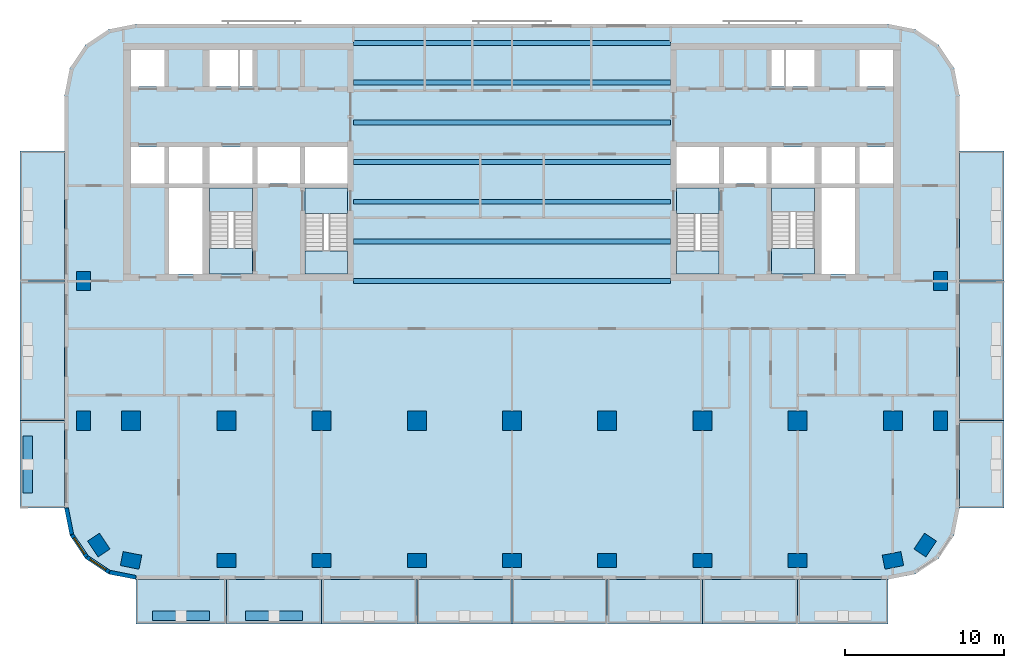
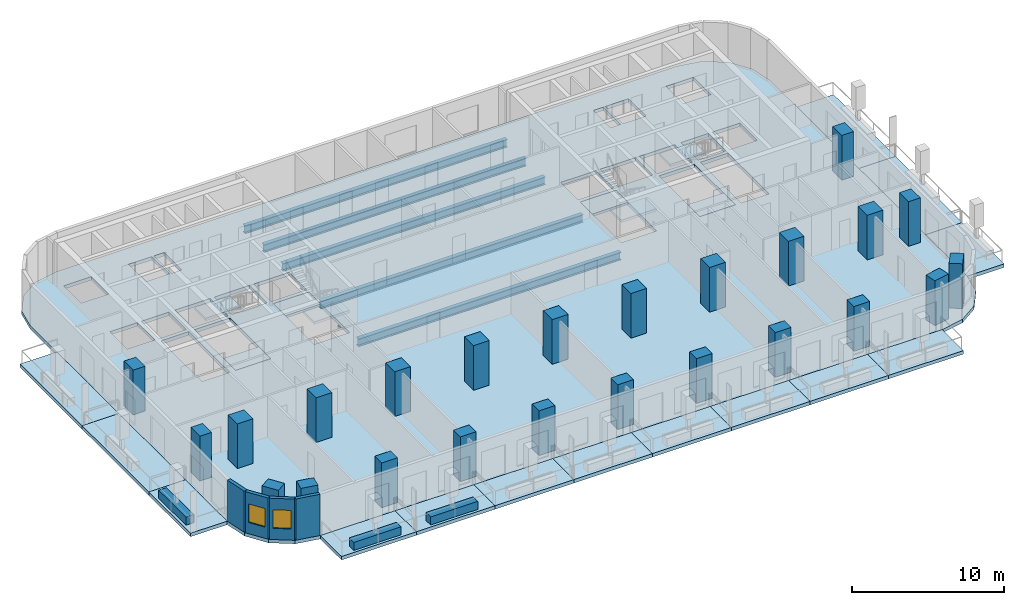
# One storey, part 1 of 11: 24 columns, 23 slabs, 7 beams, 7 walls, 2 windows, 2 openings, 4 elements without a shape of their own.
"""IFC4 building model written with IfcOpenShell, lengths in metres."""

from ifc_helpers import new_model, si_unit, direction, frame, frame_2d, origin, origin_2d, place, context, subcontext, project, spatial, polyline, rectangle, i_section, outline, extrude, material, layer, layer_set, material_profile, profile_set, type_object, element, fill, aggregate, save


model = new_model("IFC4")

# Units and contexts
model_context = context("Model", 3, precision=1e-05, world=origin(), true_north=direction((0.0, 1.0)))
body_context = subcontext(model_context, "Body", "Model", "MODEL_VIEW")
ifc_project = project(units=[si_unit("LENGTHUNIT", "METRE"), si_unit("AREAUNIT", "SQUARE_METRE"), si_unit("VOLUMEUNIT", "CUBIC_METRE"), si_unit("PLANEANGLEUNIT", "RADIAN"), si_unit("MASSUNIT", "GRAM", prefix="KILO")], contexts=[model_context])

# Site, building, storey
site_placement = place(None, origin())
site = spatial("IfcSite", under=ifc_project, at=site_placement, CompositionType="ELEMENT")
building_placement = place(site_placement, origin())
building = spatial("IfcBuilding", under=site, at=building_placement, Name="Torana Hotel and Residences", CompositionType="ELEMENT")
storey_placement = place(building_placement, frame((0.0, 0.0, 123.60009765625)))
storey = spatial("IfcBuildingStorey", under=building, at=storey_placement, Name="L31", CompositionType="ELEMENT", Elevation=123.60009765625)

# Columns
ifc_material_1 = material(Name="Concrete C70/85", Category="concrete")
ifc_material_profile_1 = material_profile(ifc_material_1, rectangle(XDim=1.199951171875, YDim=1.199951171875, at=origin_2d()), Name="RC 1200x1200")
ifc_profile_set_1 = profile_set([ifc_material_profile_1], Name="Concrete C70/85")
column_type_1 = type_object("IfcColumnType", Name="COLUMN RC 1200x1200 C70/85", PredefinedType="COLUMN", material=ifc_profile_set_1)
for number, where, z_axis, x_axis, name in (
    (1, (-24.0, -23.800048828125, 0.0), (0.0, 0.0, 1.0), (1.0, 0.0, 0.0), "Column L31"),
    (2, (-18.0, -23.800048828125, 0.0), (0.0, 0.0, 1.0), (1.0, 0.0, 0.0), "Column L31"),
    (3, (-12.0, -23.800048828125, 0.0), (0.0, 0.0, 1.0), (1.0, 0.0, 0.0), "Column L31"),
    (4, (-6.0, -23.800048828125, 0.0), (0.0, 0.0, 1.0), (1.0, 0.0, 0.0), "Column L31"),
    (5, (0.0, -23.800048828125, 0.0), (0.0, 0.0, 1.0), (1.0, 0.0, 0.0), "Column L31"),
    (6, (6.0, -23.800048828125, 0.0), (0.0, 0.0, 1.0), (1.0, 0.0, 0.0), "Column L31"),
    (7, (12.0, -23.800048828125, 0.0), (0.0, 0.0, 1.0), (1.0, 0.0, 0.0), "Column L31"),
    (8, (18.0, -23.800048828125, 0.0), (0.0, 0.0, 1.0), (1.0, 0.0, 0.0), "Column L31"),
    (9, (24.0, -23.800048828125, 0.0), (0.0, 0.0, 1.0), (1.0, 0.0, 0.0), "Column L31"),
):
    element("IfcColumn", number, at=place(storey_placement, frame(where, z_axis=z_axis, x_axis=x_axis)), inside=storey, type_object=column_type_1, Name=name, PredefinedType="COLUMN", context=body_context, shape_type="SweptSolid", body=[
        extrude(rectangle(XDim=1.199951171875, YDim=1.199951171875, at=origin_2d()), origin(), (0.0, 0.0, 1.0), 3.599853515625),
    ])
ifc_material_2 = material(Name="Concrete C70/85", Category="concrete")
ifc_material_profile_2 = material_profile(ifc_material_2, rectangle(XDim=1.199951171875, YDim=0.89990234375, at=origin_2d()), Name="RC 1200x900")
ifc_profile_set_2 = profile_set([ifc_material_profile_2], Name="Concrete C70/85")
column_type_2 = type_object("IfcColumnType", Name="COLUMN RC 1200x900 C70/85", PredefinedType="COLUMN", material=ifc_profile_set_2)
for number, where, z_axis, x_axis, name in (
    (10, (-27.0, -23.800048828125, 0.0), (0.0, 0.0, 1.0), (0.0, 1.0, 0.0), "Column L31"),
    (11, (-27.0, -15.0, 0.0), (0.0, 0.0, 1.0), (0.0, 1.0, 0.0), "Column L31"),
    (12, (-26.032958984375, -31.633056640625, 0.0), (0.0, 0.0, 1.0), (-0.555584744817, 0.831459915646, 0.0), "Column L31"),
    (13, (-24.0, -32.60009765625, 0.0), (0.0, 0.0, 1.0), (-0.980792089743, 0.195056086032, 0.0), "Column L31"),
    (14, (-18.0, -32.60009765625, 0.0), (0.0, 0.0, 1.0), (1.0, 0.0, 0.0), "Column L31"),
    (15, (-12.0, -32.60009765625, 0.0), (0.0, 0.0, 1.0), (1.0, 0.0, 0.0), "Column L31"),
    (16, (-6.0, -32.60009765625, 0.0), (0.0, 0.0, 1.0), (1.0, 0.0, 0.0), "Column L31"),
    (17, (0.0, -32.60009765625, 0.0), (0.0, 0.0, 1.0), (1.0, 0.0, 0.0), "Column L31"),
    (18, (6.0, -32.60009765625, 0.0), (0.0, 0.0, 1.0), (1.0, 0.0, 0.0), "Column L31"),
    (19, (12.0, -32.60009765625, 0.0), (0.0, 0.0, 1.0), (1.0, 0.0, 0.0), "Column L31"),
    (20, (18.0, -32.60009765625, 0.0), (0.0, 0.0, 1.0), (1.0, 0.0, 0.0), "Column L31"),
    (21, (24.0, -32.60009765625, 0.0), (0.0, 0.0, 1.0), (0.980792089743, 0.195056086032, 0.0), "Column L31"),
    (22, (26.032958984375, -31.633056640625, 0.0), (0.0, 0.0, 1.0), (0.555584744817, 0.831459915646, 0.0), "Column L31"),
    (23, (27.0, -23.800048828125, 0.0), (0.0, 0.0, 1.0), (0.0, 1.0, 0.0), "Column L31"),
    (24, (27.0, -15.0, 0.0), (0.0, 0.0, 1.0), (0.0, 1.0, 0.0), "Column L31"),
):
    element("IfcColumn", number, at=place(storey_placement, frame(where, z_axis=z_axis, x_axis=x_axis)), inside=storey, type_object=column_type_2, Name=name, PredefinedType="COLUMN", context=body_context, shape_type="SweptSolid", body=[
        extrude(rectangle(XDim=1.199951171875, YDim=0.89990234375, at=origin_2d()), origin(), (0.0, 0.0, 1.0), 3.599853515625),
    ])

# Beams
ifc_material_3 = material(Name="Steel S355", Category="steel")
ifc_material_profile_3 = material_profile(ifc_material_3, i_section(OverallWidth=0.311279296875, OverallDepth=0.6357421875, WebThickness=0.018310546875, FlangeThickness=0.031494140625, FilletRadius=0.0166015625, at=origin_2d()), Name="610x305x238 UB")
ifc_profile_set_3 = profile_set([ifc_material_profile_3], Name="Steel S355")
beam_type = type_object("IfcBeamType", Name="STEEL GIRDER 610x305x238 UB", PredefinedType="BEAM", material=ifc_profile_set_3)
for number, where, z_axis, x_axis, name in (
    (25, (-10.0, -15.0, -0.597900390625), (1.0, 0.0, 0.0), (0.0, 1.0, 0.0), "Floor girder"),
    (26, (-10.0, -12.5, -0.597900390625), (1.0, 0.0, 0.0), (0.0, 1.0, 0.0), "Floor girder"),
    (27, (-10.0, -10.0, -0.597900390625), (1.0, 0.0, 0.0), (0.0, 1.0, 0.0), "Floor girder"),
    (28, (-10.0, -7.5, -0.597900390625), (1.0, 0.0, 0.0), (0.0, 1.0, 0.0), "Floor girder"),
    (29, (-10.0, -5.0, -0.597900390625), (1.0, 0.0, 0.0), (0.0, 1.0, 0.0), "Floor girder"),
    (30, (-10.0, -2.5, -0.597900390625), (1.0, 0.0, 0.0), (0.0, 1.0, 0.0), "Floor girder"),
    (31, (-10.0, 0.0, -0.597900390625), (1.0, 0.0, 0.0), (0.0, 1.0, 0.0), "Floor girder"),
):
    element("IfcBeam", number, at=place(storey_placement, frame(where, z_axis=z_axis, x_axis=x_axis)), inside=storey, type_object=beam_type, Name=name, PredefinedType="BEAM", context=body_context, shape_type="SweptSolid", body=[
        extrude(i_section(OverallWidth=0.311279296875, OverallDepth=0.6357421875, WebThickness=0.018310546875, FlangeThickness=0.031494140625, FilletRadius=0.0166015625, at=origin_2d()), origin(), (0.0, 0.0, 1.0), 20.0),
    ])

# Slabs
ifc_material_4 = material(Name="Concrete C40/50", Category="concrete")
ifc_layer_1 = layer(ifc_material_4, 0.280029296875)
ifc_layer_set_1 = layer_set([ifc_layer_1], Name="BAL1 BALCONY SLAB 280")
slab_type_1 = type_object("IfcSlabType", Name="BAL1 BALCONY SLAB 280", PredefinedType="USERDEFINED", material=ifc_layer_set_1)
slab_1_placement = place(storey_placement, frame((0.0, 0.0, -0.280029296875)))
element("IfcSlab", 32, at=slab_1_placement, inside=storey, type_object=slab_type_1, Name="Balcony 01", ObjectType="BALCONY", PredefinedType="USERDEFINED", context=body_context, shape_type="SweptSolid", body=[
    extrude(outline(polyline([(-23.699951171875, -36.60009765625), (-18.0, -36.60009765625), (-18.0, -33.800048828125), (-23.699951171875, -33.800048828125), (-23.699951171875, -36.60009765625)])), origin(), (0.0, 0.0, 1.0), 0.280029296875),
])
slab_2_placement = place(storey_placement, frame((0.0, 0.0, -0.280029296875)))
element("IfcSlab", 33, at=slab_2_placement, inside=storey, type_object=slab_type_1, Name="Balcony 02", ObjectType="BALCONY", PredefinedType="USERDEFINED", context=body_context, shape_type="SweptSolid", body=[
    extrude(outline(polyline([(-18.0, -36.60009765625), (-12.0, -36.60009765625), (-12.0, -33.800048828125), (-18.0, -33.800048828125), (-18.0, -36.60009765625)])), origin(), (0.0, 0.0, 1.0), 0.280029296875),
])
slab_3_placement = place(storey_placement, frame((0.0, 0.0, -0.280029296875)))
element("IfcSlab", 34, at=slab_3_placement, inside=storey, type_object=slab_type_1, Name="Balcony 03", ObjectType="BALCONY", PredefinedType="USERDEFINED", context=body_context, shape_type="SweptSolid", body=[
    extrude(outline(polyline([(-12.0, -36.60009765625), (-6.0, -36.60009765625), (-6.0, -33.800048828125), (-12.0, -33.800048828125), (-12.0, -36.60009765625)])), origin(), (0.0, 0.0, 1.0), 0.280029296875),
])
slab_4_placement = place(storey_placement, frame((0.0, 0.0, -0.280029296875)))
element("IfcSlab", 35, at=slab_4_placement, inside=storey, type_object=slab_type_1, Name="Balcony 04", ObjectType="BALCONY", PredefinedType="USERDEFINED", context=body_context, shape_type="SweptSolid", body=[
    extrude(outline(polyline([(-6.0, -36.60009765625), (0.0, -36.60009765625), (0.0, -33.800048828125), (-6.0, -33.800048828125), (-6.0, -36.60009765625)])), origin(), (0.0, 0.0, 1.0), 0.280029296875),
])
slab_5_placement = place(storey_placement, frame((0.0, 0.0, -0.280029296875)))
element("IfcSlab", 36, at=slab_5_placement, inside=storey, type_object=slab_type_1, Name="Balcony 05", ObjectType="BALCONY", PredefinedType="USERDEFINED", context=body_context, shape_type="SweptSolid", body=[
    extrude(outline(polyline([(0.0, -36.60009765625), (6.0, -36.60009765625), (6.0, -33.800048828125), (0.0, -33.800048828125), (0.0, -36.60009765625)])), origin(), (0.0, 0.0, 1.0), 0.280029296875),
])
slab_6_placement = place(storey_placement, frame((0.0, 0.0, -0.280029296875)))
element("IfcSlab", 37, at=slab_6_placement, inside=storey, type_object=slab_type_1, Name="Balcony 06", ObjectType="BALCONY", PredefinedType="USERDEFINED", context=body_context, shape_type="SweptSolid", body=[
    extrude(outline(polyline([(6.0, -36.60009765625), (12.0, -36.60009765625), (12.0, -33.800048828125), (6.0, -33.800048828125), (6.0, -36.60009765625)])), origin(), (0.0, 0.0, 1.0), 0.280029296875),
])
slab_7_placement = place(storey_placement, frame((0.0, 0.0, -0.280029296875)))
element("IfcSlab", 38, at=slab_7_placement, inside=storey, type_object=slab_type_1, Name="Balcony 07", ObjectType="BALCONY", PredefinedType="USERDEFINED", context=body_context, shape_type="SweptSolid", body=[
    extrude(outline(polyline([(12.0, -36.60009765625), (18.0, -36.60009765625), (18.0, -33.800048828125), (12.0, -33.800048828125), (12.0, -36.60009765625)])), origin(), (0.0, 0.0, 1.0), 0.280029296875),
])
slab_8_placement = place(storey_placement, frame((0.0, 0.0, -0.280029296875)))
element("IfcSlab", 39, at=slab_8_placement, inside=storey, type_object=slab_type_1, Name="Balcony 08", ObjectType="BALCONY", PredefinedType="USERDEFINED", context=body_context, shape_type="SweptSolid", body=[
    extrude(outline(polyline([(18.0, -36.60009765625), (23.699951171875, -36.60009765625), (23.699951171875, -33.800048828125), (18.0, -33.800048828125), (18.0, -36.60009765625)])), origin(), (0.0, 0.0, 1.0), 0.280029296875),
])
slab_9_placement = place(storey_placement, frame((0.0, 0.0, -0.280029296875)))
element("IfcSlab", 40, at=slab_9_placement, inside=storey, type_object=slab_type_1, Name="Balcony 09", ObjectType="BALCONY", PredefinedType="USERDEFINED", context=body_context, shape_type="SweptSolid", body=[
    extrude(outline(polyline([(-31.0, -29.300048828125), (-28.199951171875, -29.300048828125), (-28.199951171875, -23.800048828125), (-31.0, -23.800048828125), (-31.0, -29.300048828125)])), origin(), (0.0, 0.0, 1.0), 0.280029296875),
])
slab_10_placement = place(storey_placement, frame((0.0, 0.0, -0.280029296875)))
element("IfcSlab", 41, at=slab_10_placement, inside=storey, type_object=slab_type_1, Name="Balcony 10", ObjectType="BALCONY", PredefinedType="USERDEFINED", context=body_context, shape_type="SweptSolid", body=[
    extrude(outline(polyline([(-31.0, -23.800048828125), (-28.199951171875, -23.800048828125), (-28.199951171875, -15.0), (-31.0, -15.0), (-31.0, -23.800048828125)])), origin(), (0.0, 0.0, 1.0), 0.280029296875),
])
slab_11_placement = place(storey_placement, frame((0.0, 0.0, -0.280029296875)))
element("IfcSlab", 42, at=slab_11_placement, inside=storey, type_object=slab_type_1, Name="Balcony 11", ObjectType="BALCONY", PredefinedType="USERDEFINED", context=body_context, shape_type="SweptSolid", body=[
    extrude(outline(polyline([(-31.0, -15.0), (-28.199951171875, -15.0), (-28.199951171875, -6.800048828125), (-31.0, -6.800048828125), (-31.0, -15.0)])), origin(), (0.0, 0.0, 1.0), 0.280029296875),
])
slab_12_placement = place(storey_placement, frame((0.0, 0.0, -0.280029296875)))
element("IfcSlab", 43, at=slab_12_placement, inside=storey, type_object=slab_type_1, Name="Balcony 12", ObjectType="BALCONY", PredefinedType="USERDEFINED", context=body_context, shape_type="SweptSolid", body=[
    extrude(outline(polyline([(28.199951171875, -29.300048828125), (31.0, -29.300048828125), (31.0, -23.800048828125), (28.199951171875, -23.800048828125), (28.199951171875, -29.300048828125)])), origin(), (0.0, 0.0, 1.0), 0.280029296875),
])
slab_13_placement = place(storey_placement, frame((0.0, 0.0, -0.280029296875)))
element("IfcSlab", 44, at=slab_13_placement, inside=storey, type_object=slab_type_1, Name="Balcony 13", ObjectType="BALCONY", PredefinedType="USERDEFINED", context=body_context, shape_type="SweptSolid", body=[
    extrude(outline(polyline([(28.199951171875, -23.800048828125), (31.0, -23.800048828125), (31.0, -15.0), (28.199951171875, -15.0), (28.199951171875, -23.800048828125)])), origin(), (0.0, 0.0, 1.0), 0.280029296875),
])
slab_14_placement = place(storey_placement, frame((0.0, 0.0, -0.280029296875)))
element("IfcSlab", 45, at=slab_14_placement, inside=storey, type_object=slab_type_1, Name="Balcony 14", ObjectType="BALCONY", PredefinedType="USERDEFINED", context=body_context, shape_type="SweptSolid", body=[
    extrude(outline(polyline([(28.199951171875, -15.0), (31.0, -15.0), (31.0, -6.800048828125), (28.199951171875, -6.800048828125), (28.199951171875, -15.0)])), origin(), (0.0, 0.0, 1.0), 0.280029296875),
])
ifc_material_5 = material(Name="Concrete C40/50", Category="concrete")
ifc_layer_2 = layer(ifc_material_5, 0.280029296875)
ifc_layer_set_2 = layer_set([ifc_layer_2], Name="FLOOR SLAB PT 280")
slab_type_2 = type_object("IfcSlabType", Name="FLOOR SLAB PT 280", PredefinedType="FLOOR", material=ifc_layer_set_2)
slab_15_placement = place(storey_placement, frame((0.0, 0.0, -0.280029296875)))
element("IfcSlab", 46, at=slab_15_placement, inside=storey, type_object=slab_type_2, Name="Floor slab", PredefinedType="FLOOR", context=body_context, shape_type="SweptSolid", body=[
    extrude(outline(polyline([(28.199951171875, -3.300048828125), (27.857421875, -1.577880859375), (26.882080078125, -0.117919921875), (25.422119140625, 0.857421875), (23.699951171875, 1.199951171875), (-23.699951171875, 1.199951171875), (-25.422119140625, 0.857421875), (-26.882080078125, -0.117919921875), (-27.857421875, -1.577880859375), (-28.199951171875, -3.300048828125), (-28.199951171875, -29.300048828125), (-27.857421875, -31.022216796875), (-26.882080078125, -32.48193359375), (-25.422119140625, -33.45751953125), (-23.699951171875, -33.800048828125), (23.699951171875, -33.800048828125), (25.422119140625, -33.45751953125), (26.882080078125, -32.48193359375), (27.857421875, -31.022216796875), (28.199951171875, -29.300048828125), (28.199951171875, -3.300048828125)]), holes=[polyline([(-13.050048828125, -14.550048828125), (-10.35009765625, -14.550048828125), (-10.35009765625, -9.14990234375), (-13.050048828125, -9.14990234375), (-13.050048828125, -14.550048828125)]), polyline([(-19.050048828125, -14.550048828125), (-16.35009765625, -14.550048828125), (-16.35009765625, -9.14990234375), (-19.050048828125, -9.14990234375), (-19.050048828125, -14.550048828125)]), polyline([(-17.125, -2.75), (-16.35009765625, -2.75), (-16.35009765625, -0.449951171875), (-17.125, -0.449951171875), (-17.125, -2.75)]), polyline([(-19.050048828125, -2.75), (-17.27490234375, -2.75), (-17.27490234375, -0.449951171875), (-19.050048828125, -0.449951171875), (-19.050048828125, -2.75)]), polyline([(-21.60009765625, -8.85009765625), (-19.5, -8.85009765625), (-19.5, -6.550048828125), (-21.60009765625, -6.550048828125), (-21.60009765625, -8.85009765625)]), polyline([(-24.0, -2.75), (-21.89990234375, -2.75), (-21.89990234375, -0.449951171875), (-24.0, -0.449951171875), (-24.0, -2.75)]), polyline([(-24.0, -8.85009765625), (-21.89990234375, -8.85009765625), (-21.89990234375, -6.550048828125), (-24.0, -6.550048828125), (-24.0, -8.85009765625)]), polyline([(-13.050048828125, -8.85009765625), (-10.35009765625, -8.85009765625), (-10.35009765625, -6.550048828125), (-13.050048828125, -6.550048828125), (-13.050048828125, -8.85009765625)]), polyline([(-16.050048828125, -8.85009765625), (-13.35009765625, -8.85009765625), (-13.35009765625, -6.550048828125), (-16.050048828125, -6.550048828125), (-16.050048828125, -8.85009765625)]), polyline([(-19.050048828125, -8.85009765625), (-16.35009765625, -8.85009765625), (-16.35009765625, -6.550048828125), (-19.050048828125, -6.550048828125), (-19.050048828125, -8.85009765625)]), polyline([(-21.60009765625, -14.550048828125), (-19.5, -14.550048828125), (-19.5, -9.14990234375), (-21.60009765625, -9.14990234375), (-21.60009765625, -14.550048828125)]), polyline([(10.35009765625, -14.550048828125), (13.050048828125, -14.550048828125), (13.050048828125, -9.14990234375), (10.35009765625, -9.14990234375), (10.35009765625, -14.550048828125)]), polyline([(16.35009765625, -14.550048828125), (19.050048828125, -14.550048828125), (19.050048828125, -9.14990234375), (16.35009765625, -9.14990234375), (16.35009765625, -14.550048828125)]), polyline([(16.35009765625, -2.75), (17.125, -2.75), (17.125, -0.449951171875), (16.35009765625, -0.449951171875), (16.35009765625, -2.75)]), polyline([(17.27490234375, -2.75), (19.050048828125, -2.75), (19.050048828125, -0.449951171875), (17.27490234375, -0.449951171875), (17.27490234375, -2.75)]), polyline([(19.5, -8.85009765625), (21.60009765625, -8.85009765625), (21.60009765625, -6.550048828125), (19.5, -6.550048828125), (19.5, -8.85009765625)]), polyline([(21.89990234375, -2.75), (24.0, -2.75), (24.0, -0.449951171875), (21.89990234375, -0.449951171875), (21.89990234375, -2.75)]), polyline([(21.89990234375, -8.85009765625), (24.0, -8.85009765625), (24.0, -6.550048828125), (21.89990234375, -6.550048828125), (21.89990234375, -8.85009765625)]), polyline([(10.35009765625, -8.85009765625), (13.050048828125, -8.85009765625), (13.050048828125, -6.550048828125), (10.35009765625, -6.550048828125), (10.35009765625, -8.85009765625)]), polyline([(13.35009765625, -8.85009765625), (16.050048828125, -8.85009765625), (16.050048828125, -6.550048828125), (13.35009765625, -6.550048828125), (13.35009765625, -8.85009765625)]), polyline([(16.35009765625, -8.85009765625), (19.050048828125, -8.85009765625), (19.050048828125, -6.550048828125), (16.35009765625, -6.550048828125), (16.35009765625, -8.85009765625)]), polyline([(19.5, -14.550048828125), (21.60009765625, -14.550048828125), (21.60009765625, -9.14990234375), (19.5, -9.14990234375), (19.5, -14.550048828125)])]), origin(), (0.0, 0.0, 1.0), 0.280029296875),
])

# Stair, slabs
ifc_material_6 = material(Name="Concrete C40/50 precast", Category="concrete")
stair_type_1 = type_object("IfcStairType", Name="STAIR ST1 HALF TURN 1200", PredefinedType="HALF_TURN_STAIR", material=ifc_material_6)
stair_1_placement = place(storey_placement, origin())
stair_1 = element("IfcStair", 47, at=stair_1_placement, inside=storey, type_object=stair_type_1, Name="Stair ST1 L31", PredefinedType="HALF_TURN_STAIR")
ifc_material_7 = material(Name="Concrete C40/50 precast", Category="concrete")
ifc_layer_3 = layer(ifc_material_7, 0.199951171875)
ifc_layer_set_3 = layer_set([ifc_layer_3], Name="STAIR LANDING 200")
slab_type_3 = type_object("IfcSlabType", Name="STAIR LANDING 200", PredefinedType="LANDING", material=ifc_layer_set_3)
slab_16_placement = place(storey_placement, frame((0.0, 0.0, 1.599853515625)))
slab_16 = element("IfcSlab", 48, at=slab_16_placement, type_object=slab_type_3, Name="ST1 landing 1", PredefinedType="LANDING", context=body_context, shape_type="SweptSolid", body=[
    extrude(outline(polyline([(-13.050048828125, -14.550048828125), (-10.35009765625, -14.550048828125), (-10.35009765625, -13.090087890625), (-13.050048828125, -13.090087890625), (-13.050048828125, -14.550048828125)])), origin(), (0.0, 0.0, 1.0), 0.199951171875),
])
slab_17_placement = place(storey_placement, frame((0.0, 0.0, -0.2001953125)))
slab_17 = element("IfcSlab", 49, at=slab_17_placement, type_object=slab_type_3, Name="ST1 landing 2", PredefinedType="LANDING", context=body_context, shape_type="SweptSolid", body=[
    extrude(outline(polyline([(-13.050048828125, -10.75), (-10.35009765625, -10.75), (-10.35009765625, -9.14990234375), (-13.050048828125, -9.14990234375), (-13.050048828125, -10.75)])), origin(), (0.0, 0.0, 1.0), 0.2001953125),
])
aggregate(stair_1, [slab_16, slab_17])

ifc_material_8 = material(Name="Concrete C40/50 precast", Category="concrete")
stair_type_2 = type_object("IfcStairType", Name="STAIR ST2 HALF TURN 1200", PredefinedType="HALF_TURN_STAIR", material=ifc_material_8)
stair_2_placement = place(storey_placement, origin())
stair_2 = element("IfcStair", 50, at=stair_2_placement, inside=storey, type_object=stair_type_2, Name="Stair ST2 L31", PredefinedType="HALF_TURN_STAIR")
slab_18_placement = place(storey_placement, frame((0.0, 0.0, 1.599853515625)))
slab_18 = element("IfcSlab", 51, at=slab_18_placement, type_object=slab_type_3, Name="ST2 landing 1", PredefinedType="LANDING", context=body_context, shape_type="SweptSolid", body=[
    extrude(outline(polyline([(-19.050048828125, -10.610107421875), (-16.35009765625, -10.610107421875), (-16.35009765625, -9.14990234375), (-19.050048828125, -9.14990234375), (-19.050048828125, -10.610107421875)])), origin(), (0.0, 0.0, 1.0), 0.199951171875),
])
slab_19_placement = place(storey_placement, frame((0.0, 0.0, -0.2001953125)))
slab_19 = element("IfcSlab", 52, at=slab_19_placement, type_object=slab_type_3, Name="ST2 landing 2", PredefinedType="LANDING", context=body_context, shape_type="SweptSolid", body=[
    extrude(outline(polyline([(-19.050048828125, -14.550048828125), (-16.35009765625, -14.550048828125), (-16.35009765625, -12.949951171875), (-19.050048828125, -12.949951171875), (-19.050048828125, -14.550048828125)])), origin(), (0.0, 0.0, 1.0), 0.2001953125),
])
aggregate(stair_2, [slab_18, slab_19])

ifc_material_9 = material(Name="Concrete C40/50 precast", Category="concrete")
stair_type_3 = type_object("IfcStairType", Name="STAIR ST3 HALF TURN 1200", PredefinedType="HALF_TURN_STAIR", material=ifc_material_9)
stair_3_placement = place(storey_placement, origin())
stair_3 = element("IfcStair", 53, at=stair_3_placement, inside=storey, type_object=stair_type_3, Name="Stair ST3 L31", PredefinedType="HALF_TURN_STAIR")
slab_20_placement = place(storey_placement, frame((0.0, 0.0, 1.599853515625)))
slab_20 = element("IfcSlab", 54, at=slab_20_placement, type_object=slab_type_3, Name="ST3 landing 1", PredefinedType="LANDING", context=body_context, shape_type="SweptSolid", body=[
    extrude(outline(polyline([(10.35009765625, -14.550048828125), (13.050048828125, -14.550048828125), (13.050048828125, -13.090087890625), (10.35009765625, -13.090087890625), (10.35009765625, -14.550048828125)])), origin(), (0.0, 0.0, 1.0), 0.199951171875),
])
slab_21_placement = place(storey_placement, frame((0.0, 0.0, -0.2001953125)))
slab_21 = element("IfcSlab", 55, at=slab_21_placement, type_object=slab_type_3, Name="ST3 landing 2", PredefinedType="LANDING", context=body_context, shape_type="SweptSolid", body=[
    extrude(outline(polyline([(10.35009765625, -10.75), (13.050048828125, -10.75), (13.050048828125, -9.14990234375), (10.35009765625, -9.14990234375), (10.35009765625, -10.75)])), origin(), (0.0, 0.0, 1.0), 0.2001953125),
])
aggregate(stair_3, [slab_20, slab_21])

ifc_material_10 = material(Name="Concrete C40/50 precast", Category="concrete")
stair_type_4 = type_object("IfcStairType", Name="STAIR ST4 HALF TURN 1200", PredefinedType="HALF_TURN_STAIR", material=ifc_material_10)
stair_4_placement = place(storey_placement, origin())
stair_4 = element("IfcStair", 56, at=stair_4_placement, inside=storey, type_object=stair_type_4, Name="Stair ST4 L31", PredefinedType="HALF_TURN_STAIR")
slab_22_placement = place(storey_placement, frame((0.0, 0.0, 1.599853515625)))
slab_22 = element("IfcSlab", 57, at=slab_22_placement, type_object=slab_type_3, Name="ST4 landing 1", PredefinedType="LANDING", context=body_context, shape_type="SweptSolid", body=[
    extrude(outline(polyline([(16.35009765625, -10.610107421875), (19.050048828125, -10.610107421875), (19.050048828125, -9.14990234375), (16.35009765625, -9.14990234375), (16.35009765625, -10.610107421875)])), origin(), (0.0, 0.0, 1.0), 0.199951171875),
])
slab_23_placement = place(storey_placement, frame((0.0, 0.0, -0.2001953125)))
slab_23 = element("IfcSlab", 58, at=slab_23_placement, type_object=slab_type_3, Name="ST4 landing 2", PredefinedType="LANDING", context=body_context, shape_type="SweptSolid", body=[
    extrude(outline(polyline([(16.35009765625, -14.550048828125), (19.050048828125, -14.550048828125), (19.050048828125, -12.949951171875), (16.35009765625, -12.949951171875), (16.35009765625, -14.550048828125)])), origin(), (0.0, 0.0, 1.0), 0.2001953125),
])
aggregate(stair_4, [slab_22, slab_23])

# Wall
ifc_material_11 = material(Name="Black aluminium composite panel", Category="aluminium")
ifc_layer_4 = layer(ifc_material_11, 0.00390625, Name="Cladding", Category="cladding")
ifc_material_12 = material(Name="Ventilated air cavity")
ifc_layer_5 = layer(ifc_material_12, 0.0400390625, Name="Ventilated cavity", Category="cavity")
ifc_material_13 = material(Name="Mineral wool insulation")
ifc_layer_6 = layer(ifc_material_13, 0.090087890625, Name="Insulation", Category="insulation")
ifc_material_14 = material(Name="Steel S280GD", Category="steel")
ifc_layer_7 = layer(ifc_material_14, 0.092041015625, Name="Steel stud frame", Category="structure")
ifc_material_15 = material(Name="Fire rated plasterboard")
ifc_layer_8 = layer(ifc_material_15, 0.011962890625, Name="Inner board", Category="finish")
ifc_layer_9 = layer(ifc_material_15, 0.011962890625, Name="Second board", Category="finish")
ifc_layer_set_4 = layer_set([ifc_layer_4, ifc_layer_5, ifc_layer_6, ifc_layer_7, ifc_layer_8, ifc_layer_9], Name="EW1 EXTERNAL WALL BLACK METAL CLAD 250")
wall_type_1 = type_object("IfcWallType", Name="EW1 EXTERNAL WALL BLACK METAL CLAD 250", PredefinedType="SOLIDWALL", material=ifc_layer_set_4)
wall_1_placement = place(storey_placement, frame((-28.072509765625, -29.2998046875, 0.0), z_axis=(0.0, 0.0, 1.0), x_axis=(0.194999110559, -0.980803419081, 0.0)))
element("IfcWall", 59, at=wall_1_placement, inside=storey, type_object=wall_type_1, Name="External wall L31 e0.10", PredefinedType="SOLIDWALL", context=body_context, shape_type="SweptSolid", body=[
    extrude(rectangle(XDim=1.681396484375, YDim=0.25, at=frame_2d((0.8408203125, 0.0))), origin(), (0.0, 0.0, 1.0), 3.31982421875),
])

# Wall, opening, window
wall_2_placement = place(storey_placement, frame((-27.725830078125, -30.993896484375, 0.0), z_axis=(0.0, 0.0, 1.0), x_axis=(0.55555029066, -0.831482937015, 0.0)))
wall_2 = element("IfcWall", 60, at=wall_2_placement, inside=storey, type_object=wall_type_1, Name="External wall L31 e0.11", PredefinedType="SOLIDWALL", context=body_context, shape_type="SweptSolid", body=[
    extrude(rectangle(XDim=1.65625, YDim=0.25, at=frame_2d((0.828125, 0.0))), origin(), (0.0, 0.0, 1.0), 3.31982421875),
])
opening_1_placement = place(wall_2_placement, frame((0.228271484375, 0.0, 0.89990234375)))
opening_1 = element("IfcOpeningElement", 61, at=opening_1_placement, cuts=wall_2, Name="Opening W5", PredefinedType="OPENING", context=body_context, shape_type="SweptSolid", body=[
    extrude(rectangle(XDim=1.199951171875, YDim=1.5, at=frame_2d((0.60009765625, 0.75))), frame((0.0, 0.135009765625, 0.0), z_axis=(0.0, -1.0, 0.0), x_axis=(1.0, 0.0, 0.0)), (0.0, 0.0, 1.0), 0.27001953125),
])
ifc_material_16 = material(Name="Dark glass in black aluminium frame", Category="aluminium")
window_type = type_object("IfcWindowType", Name="W5 CORNER FACET WINDOW 1200x1500", PartitioningType="SINGLE_PANEL", PredefinedType="WINDOW", material=ifc_material_16)
window_1_placement = place(opening_1_placement, origin())
window_1 = element("IfcWindow", 62, at=window_1_placement, inside=storey, type_object=window_type, Name="Window L31 e0.11", OverallHeight=1.5, OverallWidth=1.199951171875, PartitioningType="SINGLE_PANEL", PredefinedType="WINDOW", context=body_context, shape_type="SweptSolid", body=[
    extrude(rectangle(XDim=1.199951171875, YDim=1.5, at=frame_2d((0.60009765625, 0.75))), frame((0.0, 0.030029296875, 0.0), z_axis=(0.0, -1.0, 0.0), x_axis=(1.0, 0.0, 0.0)), (0.0, 0.0, 1.0), 0.06005859375),
])
fill(opening_1, window_1)

wall_3_placement = place(storey_placement, frame((-26.771240234375, -32.40576171875, 0.0), z_axis=(0.0, 0.0, 1.0), x_axis=(0.831482937015, -0.55555029066, 0.0)))
wall_3 = element("IfcWall", 63, at=wall_3_placement, inside=storey, type_object=wall_type_1, Name="External wall L31 e0.12", PredefinedType="SOLIDWALL", context=body_context, shape_type="SweptSolid", body=[
    extrude(rectangle(XDim=1.65625, YDim=0.25, at=frame_2d((0.828125, 0.0))), origin(), (0.0, 0.0, 1.0), 3.31982421875),
])
opening_2_placement = place(wall_3_placement, frame((0.228271484375, 0.0, 0.89990234375)))
opening_2 = element("IfcOpeningElement", 64, at=opening_2_placement, cuts=wall_3, Name="Opening W5", PredefinedType="OPENING", context=body_context, shape_type="SweptSolid", body=[
    extrude(rectangle(XDim=1.199951171875, YDim=1.5, at=frame_2d((0.60009765625, 0.75))), frame((0.0, 0.135009765625, 0.0), z_axis=(0.0, -1.0, 0.0), x_axis=(1.0, 0.0, 0.0)), (0.0, 0.0, 1.0), 0.27001953125),
])
window_2_placement = place(opening_2_placement, origin())
window_2 = element("IfcWindow", 65, at=window_2_placement, inside=storey, type_object=window_type, Name="Window L31 e0.12", OverallHeight=1.5, OverallWidth=1.199951171875, PartitioningType="SINGLE_PANEL", PredefinedType="WINDOW", context=body_context, shape_type="SweptSolid", body=[
    extrude(rectangle(XDim=1.199951171875, YDim=1.5, at=frame_2d((0.60009765625, 0.75))), frame((0.0, 0.030029296875, 0.0), z_axis=(0.0, -1.0, 0.0), x_axis=(1.0, 0.0, 0.0)), (0.0, 0.0, 1.0), 0.06005859375),
])
fill(opening_2, window_2)

# Walls
wall_4_placement = place(storey_placement, frame((-25.348876953125, -33.344482421875, 0.0), z_axis=(0.0, 0.0, 1.0), x_axis=(0.980775640221, -0.19513878023, 0.0)))
element("IfcWall", 66, at=wall_4_placement, inside=storey, type_object=wall_type_1, Name="External wall L31 e0.13", PredefinedType="SOLIDWALL", context=body_context, shape_type="SweptSolid", body=[
    extrude(rectangle(XDim=1.681396484375, YDim=0.25, at=frame_2d((0.8408203125, 0.0))), origin(), (0.0, 0.0, 1.0), 3.31982421875),
])
ifc_material_17 = material(Name="Concrete C40/50 precast", Category="concrete")
ifc_layer_10 = layer(ifc_material_17, 0.10009765625, Name="Planter shell", Category="structure")
ifc_material_18 = material(Name="Root resistant membrane")
ifc_layer_11 = layer(ifc_material_18, 0.00390625, Name="Waterproofing membrane", Category="membrane")
ifc_material_19 = material(Name="Drainage board with filter fleece")
ifc_layer_12 = layer(ifc_material_19, 0.02001953125, Name="Drainage board", Category="drainage")
ifc_material_20 = material(Name="Growing medium")
ifc_layer_13 = layer(ifc_material_20, 0.47607421875, Name="Planting substrate", Category="soil")
ifc_layer_set_5 = layer_set([ifc_layer_10, ifc_layer_11, ifc_layer_12, ifc_layer_13], Name="PL1 BALCONY PLANTER 600")
wall_type_2 = type_object("IfcWallType", Name="PL1 BALCONY PLANTER 600", PredefinedType="USERDEFINED", material=ifc_layer_set_5)
wall_5_placement = place(storey_placement, frame((-19.050048828125, -36.10009765625, 0.0), z_axis=(0.0, 0.0, 1.0), x_axis=(-1.0, 0.0, 0.0)))
element("IfcWall", 67, at=wall_5_placement, inside=storey, type_object=wall_type_2, Name="Planter 01", ObjectType="PLANTER", PredefinedType="USERDEFINED", context=body_context, shape_type="SweptSolid", body=[
    extrude(rectangle(XDim=3.599853515625, YDim=0.60009765625, at=frame_2d((1.7998046875, 0.0))), origin(), (0.0, 0.0, 1.0), 0.64990234375),
])
for number, where, z_axis, x_axis, name in (
    (68, (-13.199951171875, -36.10009765625, 0.0), (0.0, 0.0, 1.0), (-1.0, 0.0, 0.0), "Planter 02"),
    (69, (-30.5, -28.35009765625, 0.0), (0.0, 0.0, 1.0), (0.0, 1.0, 0.0), "Planter 09"),
):
    element("IfcWall", number, at=place(storey_placement, frame(where, z_axis=z_axis, x_axis=x_axis)), inside=storey, type_object=wall_type_2, Name=name, ObjectType="PLANTER", PredefinedType="USERDEFINED", context=body_context, shape_type="SweptSolid", body=[
        extrude(rectangle(XDim=3.60009765625, YDim=0.60009765625, at=frame_2d((1.800048828125, 0.0))), origin(), (0.0, 0.0, 1.0), 0.64990234375),
    ])

save(model, "model.ifc")
